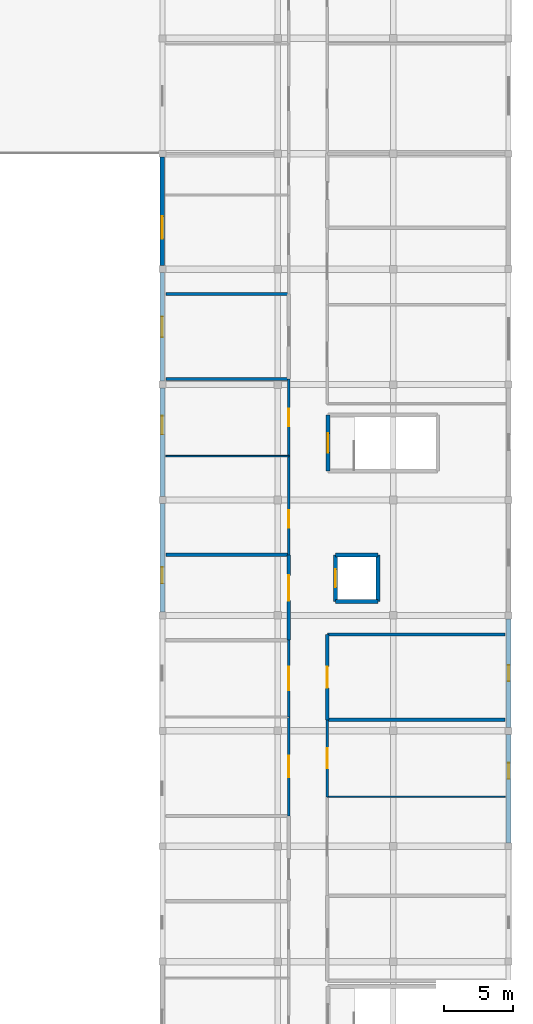
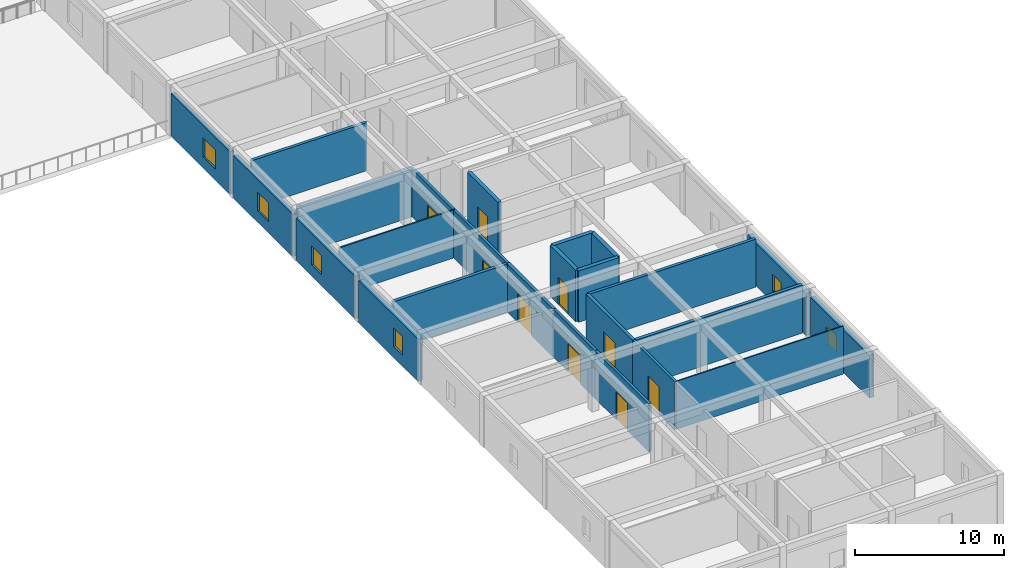
# One storey, part 16 of 28: 25 walls, 9 doors, 6 windows, 15 openings.
"""IFC4 building model written with IfcOpenShell, lengths in metres."""

from ifc_helpers import new_model, si_unit, direction, frame, frame_2d, origin, place, context, subcontext, project, spatial, rectangle, extrude, material, layer, layer_set, type_object, element, fill, save


model = new_model("IFC4")

# Units and contexts
model_context = context("Model", 3, precision=1e-05, world=origin(), true_north=direction((0.0, 1.0)))
body_context = subcontext(model_context, "Body", "Model", "MODEL_VIEW")
ifc_project = project(units=[si_unit("LENGTHUNIT", "METRE"), si_unit("AREAUNIT", "SQUARE_METRE"), si_unit("VOLUMEUNIT", "CUBIC_METRE"), si_unit("PLANEANGLEUNIT", "RADIAN"), si_unit("MASSUNIT", "GRAM", prefix="KILO")], contexts=[model_context])

# Site, building, storey
site_placement = place(None, origin())
site = spatial("IfcSite", under=ifc_project, at=site_placement, CompositionType="ELEMENT")
building_placement = place(site_placement, origin())
building = spatial("IfcBuilding", under=site, at=building_placement, Name="Varncliffe General Hospital", CompositionType="ELEMENT")
storey_placement = place(building_placement, frame((0.0, 0.0, 24.60009765625)))
storey = spatial("IfcBuildingStorey", under=building, at=storey_placement, Name="L05", CompositionType="ELEMENT", Elevation=24.60009765625)

# Wall, opening, window
ifc_material_1 = material(Name="Precast concrete C40/50 with insulated cream lime-cement stucco", Category="concrete")
ifc_layer_1 = layer(ifc_material_1, 0.31005859375)
ifc_layer_set_1 = layer_set([ifc_layer_1], Name="Precast concrete C40/50 with insulated cream lime-cement stucco")
wall_type_1 = type_object("IfcWallType", Name="Exterior Insulated Stucco Wall EW20 (310mm)", PredefinedType="SOLIDWALL", material=ifc_layer_set_1)
wall_1_placement = place(storey_placement, frame((151.199951171875, 74.64794921875, 0.0), z_axis=(0.0, 0.0, 1.0), x_axis=(0.0, 1.0, 0.0)))
wall_1 = element("IfcWall", 1, at=wall_1_placement, inside=storey, type_object=wall_type_1, Name="L05 Exterior Stucco Wall EW20-472", PredefinedType="SOLIDWALL", context=body_context, shape_type="SweptSolid", body=[
    extrude(rectangle(XDim=7.904052734375, YDim=0.31005859375, at=frame_2d((3.9521484375, 0.0))), origin(), (0.0, 0.0, 1.0), 3.47998046875),
])
opening_1_placement = place(wall_1_placement, frame((1.94921875, 0.0, 0.89990234375)))
opening_1 = element("IfcOpeningElement", 2, at=opening_1_placement, cuts=wall_1, Name="Opening WN20", PredefinedType="OPENING", context=body_context, shape_type="SweptSolid", body=[
    extrude(rectangle(XDim=1.64990234375, YDim=1.550048828125, at=frame_2d((0.824951171875, 0.77490234375))), frame((0.0, 0.1650390625, 0.0), z_axis=(0.0, -1.0, 0.0), x_axis=(1.0, 0.0, 0.0)), (0.0, 0.0, 1.0), 0.330078125),
])
ifc_material_2 = material(Name="Triple low-E argon insulated vision glazing", Category="glass")
window_type_1 = type_object("IfcWindowType", Name="Triple-Glazed Hospital Window WN20 (1650x1550)", PartitioningType="DOUBLE_PANEL_VERTICAL", PredefinedType="WINDOW", material=ifc_material_2)
window_1_placement = place(opening_1_placement, origin())
window_1 = element("IfcWindow", 3, at=window_1_placement, inside=storey, type_object=window_type_1, Name="L05 Hospital Window WN20-365", OverallHeight=1.550048828125, OverallWidth=1.64990234375, PartitioningType="DOUBLE_PANEL_VERTICAL", PredefinedType="WINDOW", context=body_context, shape_type="SweptSolid", body=[
    extrude(rectangle(XDim=1.64990234375, YDim=1.550048828125, at=frame_2d((0.824951171875, 0.77490234375))), frame((0.0, 0.030029296875, 0.0), z_axis=(0.0, -1.0, 0.0), x_axis=(1.0, 0.0, 0.0)), (0.0, 0.0, 1.0), 0.06005859375),
])
fill(opening_1, window_1)

ifc_layer_2 = layer(ifc_material_1, 0.3798828125)
ifc_layer_set_2 = layer_set([ifc_layer_2], Name="Precast concrete C40/50 with insulated cream lime-cement stucco")
wall_type_2 = type_object("IfcWallType", Name="Exterior Insulated Stucco Wall EW26 (380mm)", PredefinedType="SOLIDWALL", material=ifc_layer_set_2)
wall_2_placement = place(storey_placement, frame((176.39990234375, 48.951904296875, 0.0), z_axis=(0.0, 0.0, 1.0), x_axis=(0.0, -1.0, 0.0)))
wall_2 = element("IfcWall", 4, at=wall_2_placement, inside=storey, type_object=wall_type_2, Name="L05 Exterior Stucco Wall EW26-458", PredefinedType="SOLIDWALL", context=body_context, shape_type="SweptSolid", body=[
    extrude(rectangle(XDim=7.90380859375, YDim=0.3798828125, at=frame_2d((3.951904296875, 0.0))), origin(), (0.0, 0.0, 1.0), 3.47998046875),
])
opening_2_placement = place(wall_2_placement, frame((3.376953125, 0.0, 0.89990234375)))
opening_2 = element("IfcOpeningElement", 5, at=opening_2_placement, cuts=wall_2, Name="Opening WN62", PredefinedType="OPENING", context=body_context, shape_type="SweptSolid", body=[
    extrude(rectangle(XDim=1.14990234375, YDim=1.39990234375, at=frame_2d((0.574951171875, 0.699951171875))), frame((0.0, 0.199951171875, 0.0), z_axis=(0.0, -1.0, 0.0), x_axis=(1.0, 0.0, 0.0)), (0.0, 0.0, 1.0), 0.39990234375),
])
window_type_2 = type_object("IfcWindowType", Name="Triple-Glazed Hospital Window WN62 (1150x1400)", PartitioningType="SINGLE_PANEL", PredefinedType="WINDOW", material=ifc_material_2)
window_2_placement = place(opening_2_placement, origin())
window_2 = element("IfcWindow", 6, at=window_2_placement, inside=storey, type_object=window_type_2, Name="L05 Hospital Window WN62-351", OverallHeight=1.39990234375, OverallWidth=1.14990234375, PartitioningType="SINGLE_PANEL", PredefinedType="WINDOW", context=body_context, shape_type="SweptSolid", body=[
    extrude(rectangle(XDim=1.14990234375, YDim=1.39990234375, at=frame_2d((0.574951171875, 0.699951171875))), frame((0.0, 0.030029296875, 0.0), z_axis=(0.0, -1.0, 0.0), x_axis=(1.0, 0.0, 0.0)), (0.0, 0.0, 1.0), 0.06005859375),
])
fill(opening_2, window_2)

wall_3_placement = place(storey_placement, frame((151.199951171875, 49.447998046875, 0.0), z_axis=(0.0, 0.0, 1.0), x_axis=(0.0, 1.0, 0.0)))
wall_3 = element("IfcWall", 7, at=wall_3_placement, inside=storey, type_object=wall_type_2, Name="L05 Exterior Stucco Wall EW26-469", PredefinedType="SOLIDWALL", context=body_context, shape_type="SweptSolid", body=[
    extrude(rectangle(XDim=7.904052734375, YDim=0.3798828125, at=frame_2d((3.9521484375, 0.0))), origin(), (0.0, 0.0, 1.0), 3.47998046875),
])
opening_3_placement = place(wall_3_placement, frame((2.0751953125, 0.0, 0.89990234375)))
opening_3 = element("IfcOpeningElement", 8, at=opening_3_placement, cuts=wall_3, Name="Opening WN33", PredefinedType="OPENING", context=body_context, shape_type="SweptSolid", body=[
    extrude(rectangle(XDim=1.199951171875, YDim=1.550048828125, at=frame_2d((0.60009765625, 0.77490234375))), frame((0.0, 0.199951171875, 0.0), z_axis=(0.0, -1.0, 0.0), x_axis=(1.0, 0.0, 0.0)), (0.0, 0.0, 1.0), 0.39990234375),
])
window_type_3 = type_object("IfcWindowType", Name="Triple-Glazed Hospital Window WN33 (1200x1550)", PartitioningType="SINGLE_PANEL", PredefinedType="WINDOW", material=ifc_material_2)
window_3_placement = place(opening_3_placement, origin())
window_3 = element("IfcWindow", 9, at=window_3_placement, inside=storey, type_object=window_type_3, Name="L05 Hospital Window WN33-362", OverallHeight=1.550048828125, OverallWidth=1.199951171875, PartitioningType="SINGLE_PANEL", PredefinedType="WINDOW", context=body_context, shape_type="SweptSolid", body=[
    extrude(rectangle(XDim=1.199951171875, YDim=1.550048828125, at=frame_2d((0.60009765625, 0.77490234375))), frame((0.0, 0.030029296875, 0.0), z_axis=(0.0, -1.0, 0.0), x_axis=(1.0, 0.0, 0.0)), (0.0, 0.0, 1.0), 0.06005859375),
])
fill(opening_3, window_3)

ifc_layer_3 = layer(ifc_material_1, 0.330078125)
ifc_layer_set_3 = layer_set([ifc_layer_3], Name="Precast concrete C40/50 with insulated cream lime-cement stucco")
wall_type_3 = type_object("IfcWallType", Name="Exterior Insulated Stucco Wall EW33 (330mm)", PredefinedType="SOLIDWALL", material=ifc_layer_set_3)
wall_4_placement = place(storey_placement, frame((151.199951171875, 66.248046875, 0.0), z_axis=(0.0, 0.0, 1.0), x_axis=(0.0, 1.0, 0.0)))
wall_4 = element("IfcWall", 10, at=wall_4_placement, inside=storey, type_object=wall_type_3, Name="L05 Exterior Stucco Wall EW33-471", PredefinedType="SOLIDWALL", context=body_context, shape_type="SweptSolid", body=[
    extrude(rectangle(XDim=7.904052734375, YDim=0.330078125, at=frame_2d((3.9521484375, 0.0))), origin(), (0.0, 0.0, 1.0), 3.47998046875),
])
opening_4_placement = place(wall_4_placement, frame((3.201904296875, 0.0, 0.89990234375)))
opening_4 = element("IfcOpeningElement", 11, at=opening_4_placement, cuts=wall_4, Name="Opening WN75", PredefinedType="OPENING", context=body_context, shape_type="SweptSolid", body=[
    extrude(rectangle(XDim=1.5, YDim=1.550048828125, at=frame_2d((0.75, 0.77490234375))), frame((0.0, 0.175048828125, 0.0), z_axis=(0.0, -1.0, 0.0), x_axis=(1.0, 0.0, 0.0)), (0.0, 0.0, 1.0), 0.35009765625),
])
window_type_4 = type_object("IfcWindowType", Name="Triple-Glazed Hospital Window WN75 (1500x1550)", PartitioningType="SINGLE_PANEL", PredefinedType="WINDOW", material=ifc_material_2)
window_4_placement = place(opening_4_placement, origin())
window_4 = element("IfcWindow", 12, at=window_4_placement, inside=storey, type_object=window_type_4, Name="L05 Hospital Window WN75-364", OverallHeight=1.550048828125, OverallWidth=1.5, PartitioningType="SINGLE_PANEL", PredefinedType="WINDOW", context=body_context, shape_type="SweptSolid", body=[
    extrude(rectangle(XDim=1.5, YDim=1.550048828125, at=frame_2d((0.75, 0.77490234375))), frame((0.0, 0.030029296875, 0.0), z_axis=(0.0, -1.0, 0.0), x_axis=(1.0, 0.0, 0.0)), (0.0, 0.0, 1.0), 0.06005859375),
])
fill(opening_4, window_4)

ifc_layer_4 = layer(ifc_material_1, 0.35009765625)
ifc_layer_set_4 = layer_set([ifc_layer_4], Name="Precast concrete C40/50 with insulated cream lime-cement stucco")
wall_type_4 = type_object("IfcWallType", Name="Exterior Insulated Stucco Wall EW37 (350mm)", PredefinedType="SOLIDWALL", material=ifc_layer_set_4)
wall_5_placement = place(storey_placement, frame((176.39990234375, 40.552001953125, 0.0), z_axis=(0.0, 0.0, 1.0), x_axis=(0.0, -1.0, 0.0)))
wall_5 = element("IfcWall", 13, at=wall_5_placement, inside=storey, type_object=wall_type_4, Name="L05 Exterior Stucco Wall EW37-459", PredefinedType="SOLIDWALL", context=body_context, shape_type="SweptSolid", body=[
    extrude(rectangle(XDim=7.904052734375, YDim=0.35009765625, at=frame_2d((3.9521484375, 0.0))), origin(), (0.0, 0.0, 1.0), 3.47998046875),
])
opening_5_placement = place(wall_5_placement, frame((2.089111328125, 0.0, 0.89990234375)))
opening_5 = element("IfcOpeningElement", 14, at=opening_5_placement, cuts=wall_5, Name="Opening WN62", PredefinedType="OPENING", context=body_context, shape_type="SweptSolid", body=[
    extrude(rectangle(XDim=1.14990234375, YDim=1.39990234375, at=frame_2d((0.574951171875, 0.699951171875))), frame((0.0, 0.18505859375, 0.0), z_axis=(0.0, -1.0, 0.0), x_axis=(1.0, 0.0, 0.0)), (0.0, 0.0, 1.0), 0.3701171875),
])
window_5_placement = place(opening_5_placement, origin())
window_5 = element("IfcWindow", 15, at=window_5_placement, inside=storey, type_object=window_type_2, Name="L05 Hospital Window WN62-352", OverallHeight=1.39990234375, OverallWidth=1.14990234375, PartitioningType="SINGLE_PANEL", PredefinedType="WINDOW", context=body_context, shape_type="SweptSolid", body=[
    extrude(rectangle(XDim=1.14990234375, YDim=1.39990234375, at=frame_2d((0.574951171875, 0.699951171875))), frame((0.0, 0.030029296875, 0.0), z_axis=(0.0, -1.0, 0.0), x_axis=(1.0, 0.0, 0.0)), (0.0, 0.0, 1.0), 0.06005859375),
])
fill(opening_5, window_5)

wall_6_placement = place(storey_placement, frame((151.199951171875, 57.847900390625, 0.0), z_axis=(0.0, 0.0, 1.0), x_axis=(0.0, 1.0, 0.0)))
wall_6 = element("IfcWall", 16, at=wall_6_placement, inside=storey, type_object=wall_type_4, Name="L05 Exterior Stucco Wall EW37-470", PredefinedType="SOLIDWALL", context=body_context, shape_type="SweptSolid", body=[
    extrude(rectangle(XDim=7.904052734375, YDim=0.35009765625, at=frame_2d((3.9521484375, 0.0))), origin(), (0.0, 0.0, 1.0), 3.47998046875),
])
opening_6_placement = place(wall_6_placement, frame((4.52099609375, 0.0, 0.89990234375)))
opening_6 = element("IfcOpeningElement", 17, at=opening_6_placement, cuts=wall_6, Name="Opening WN24", PredefinedType="OPENING", context=body_context, shape_type="SweptSolid", body=[
    extrude(rectangle(XDim=1.35009765625, YDim=1.550048828125, at=frame_2d((0.675048828125, 0.77490234375))), frame((0.0, 0.18505859375, 0.0), z_axis=(0.0, -1.0, 0.0), x_axis=(1.0, 0.0, 0.0)), (0.0, 0.0, 1.0), 0.3701171875),
])
window_type_5 = type_object("IfcWindowType", Name="Triple-Glazed Hospital Window WN24 (1350x1550)", PartitioningType="SINGLE_PANEL", PredefinedType="WINDOW", material=ifc_material_2)
window_6_placement = place(opening_6_placement, origin())
window_6 = element("IfcWindow", 18, at=window_6_placement, inside=storey, type_object=window_type_5, Name="L05 Hospital Window WN24-363", OverallHeight=1.550048828125, OverallWidth=1.35009765625, PartitioningType="SINGLE_PANEL", PredefinedType="WINDOW", context=body_context, shape_type="SweptSolid", body=[
    extrude(rectangle(XDim=1.35009765625, YDim=1.550048828125, at=frame_2d((0.675048828125, 0.77490234375))), frame((0.0, 0.030029296875, 0.0), z_axis=(0.0, -1.0, 0.0), x_axis=(1.0, 0.0, 0.0)), (0.0, 0.0, 1.0), 0.06005859375),
])
fill(opening_6, window_6)

# Walls
ifc_material_3 = material(Name="Acoustic clinical gypsum stud partition assembly", Category="gypsum")
ifc_layer_5 = layer(ifc_material_3, 0.090087890625)
ifc_layer_set_5 = layer_set([ifc_layer_5], Name="Acoustic clinical gypsum stud partition assembly")
wall_type_5 = type_object("IfcWallType", Name="Interior Partitioning IW42 (90mm)", PredefinedType="PARTITIONING", material=ifc_layer_set_5)
wall_7_placement = place(storey_placement, frame((163.199951171875, 36.0, 0.0), z_axis=(0.0, 0.0, 1.0), x_axis=(1.0, 0.0, 0.0)))
element("IfcWall", 19, at=wall_7_placement, inside=storey, type_object=wall_type_5, Name="L05 Interior Partition Wall IW42-2006", PredefinedType="PARTITIONING", context=body_context, shape_type="SweptSolid", body=[
    extrude(rectangle(XDim=12.93994140625, YDim=0.090087890625, at=frame_2d((6.469970703125, 0.0))), origin(), (0.0, 0.0, 1.0), 3.919921875),
])
ifc_layer_6 = layer(ifc_material_3, 0.110107421875)
ifc_layer_set_6 = layer_set([ifc_layer_6], Name="Acoustic clinical gypsum stud partition assembly")
wall_type_6 = type_object("IfcWallType", Name="Interior Partitioning IW65 (110mm)", PredefinedType="PARTITIONING", material=ifc_layer_set_6)
wall_8_placement = place(storey_placement, frame((151.4599609375, 60.800048828125, 0.0), z_axis=(0.0, 0.0, 1.0), x_axis=(1.0, 0.0, 0.0)))
element("IfcWall", 20, at=wall_8_placement, inside=storey, type_object=wall_type_6, Name="L05 Interior Partition Wall IW65-2012", PredefinedType="PARTITIONING", context=body_context, shape_type="SweptSolid", body=[
    extrude(rectangle(XDim=8.93994140625, YDim=0.110107421875, at=frame_2d((4.469970703125, 0.0))), origin(), (0.0, 0.0, 1.0), 3.919921875),
])
ifc_material_4 = material(Name="Fire-rated gypsum and mineral-wool partition assembly", Category="gypsum")
ifc_layer_7 = layer(ifc_material_4, 0.25)
ifc_layer_set_7 = layer_set([ifc_layer_7], Name="Fire-rated gypsum and mineral-wool partition assembly")
wall_type_7 = type_object("IfcWallType", Name="Interior Partitioning PW38 (250mm)", PredefinedType="PARTITIONING", material=ifc_layer_set_7)
wall_9_placement = place(storey_placement, frame((163.199951171875, 41.60009765625, 0.0), z_axis=(0.0, 0.0, 1.0), x_axis=(1.0, 0.0, 0.0)))
element("IfcWall", 21, at=wall_9_placement, inside=storey, type_object=wall_type_7, Name="L05 Interior Partition Wall PW38-2007", PredefinedType="PARTITIONING", context=body_context, shape_type="SweptSolid", body=[
    extrude(rectangle(XDim=12.93994140625, YDim=0.25, at=frame_2d((6.469970703125, 0.0))), origin(), (0.0, 0.0, 1.0), 3.919921875),
])
wall_10_placement = place(storey_placement, frame((151.4599609375, 53.60009765625, 0.0), z_axis=(0.0, 0.0, 1.0), x_axis=(1.0, 0.0, 0.0)))
element("IfcWall", 22, at=wall_10_placement, inside=storey, type_object=wall_type_7, Name="L05 Interior Partition Wall PW38-2011", PredefinedType="PARTITIONING", context=body_context, shape_type="SweptSolid", body=[
    extrude(rectangle(XDim=8.93994140625, YDim=0.25, at=frame_2d((4.469970703125, 0.0))), origin(), (0.0, 0.0, 1.0), 3.919921875),
])

# Wall, opening, door
wall_11_placement = place(storey_placement, frame((160.39990234375, 47.39990234375, 0.0), z_axis=(0.0, 0.0, 1.0), x_axis=(0.0, 1.0, 0.0)))
wall_11 = element("IfcWall", 23, at=wall_11_placement, inside=storey, type_object=wall_type_7, Name="L05 Interior Partition Wall PW38-2171", PredefinedType="PARTITIONING", context=body_context, shape_type="SweptSolid", body=[
    extrude(rectangle(XDim=6.2001953125, YDim=0.25, at=frame_2d((3.10009765625, 0.0))), origin(), (0.0, 0.0, 1.0), 3.919921875),
])
opening_7_placement = place(wall_11_placement, frame((2.87158203125, 0.0, 0.0)))
opening_7 = element("IfcOpeningElement", 24, at=opening_7_placement, cuts=wall_11, Name="Opening DC38", PredefinedType="OPENING", context=body_context, shape_type="SweptSolid", body=[
    extrude(rectangle(XDim=1.85009765625, YDim=2.300048828125, at=frame_2d((0.925048828125, 1.14990234375))), frame((0.0, 0.135009765625, 0.0), z_axis=(0.0, -1.0, 0.0), x_axis=(1.0, 0.0, 0.0)), (0.0, 0.0, 1.0), 0.27001953125),
])
ifc_material_5 = material(Name="Fire-rated hospital steel-frame vision-panel door", Category="steel")
door_type_1 = type_object("IfcDoorType", Name="Interior Hospital Door DC38 (1850x2300)", OperationType="NOTDEFINED", PredefinedType="DOOR", material=ifc_material_5)
door_1_placement = place(opening_7_placement, origin())
door_1 = element("IfcDoor", 25, at=door_1_placement, inside=storey, type_object=door_type_1, Name="L05 Clinic Clean Supply Store 32 Door", OperationType="SINGLE_SWING_RIGHT", OverallHeight=2.300048828125, OverallWidth=1.85009765625, PredefinedType="DOOR", context=body_context, shape_type="SweptSolid", body=[
    extrude(rectangle(XDim=1.85009765625, YDim=2.300048828125, at=frame_2d((0.925048828125, 1.14990234375))), frame((0.0, 0.02490234375, 0.0), z_axis=(0.0, -1.0, 0.0), x_axis=(1.0, 0.0, 0.0)), (0.0, 0.0, 1.0), 0.050048828125),
])
fill(opening_7, door_1)

wall_12_placement = place(storey_placement, frame((163.199951171875, 41.60009765625, 0.0), z_axis=(0.0, 0.0, 1.0), x_axis=(0.0, 1.0, 0.0)))
wall_12 = element("IfcWall", 26, at=wall_12_placement, inside=storey, type_object=wall_type_7, Name="L05 Interior Partition Wall PW38-2183", PredefinedType="PARTITIONING", context=body_context, shape_type="SweptSolid", body=[
    extrude(rectangle(XDim=6.199951171875, YDim=0.25, at=frame_2d((3.10009765625, 0.0))), origin(), (0.0, 0.0, 1.0), 3.919921875),
])
opening_8_placement = place(wall_12_placement, frame((2.324951171875, 0.0, 0.0)))
opening_8 = element("IfcOpeningElement", 27, at=opening_8_placement, cuts=wall_12, Name="Opening DC67", PredefinedType="OPENING", context=body_context, shape_type="SweptSolid", body=[
    extrude(rectangle(XDim=1.550048828125, YDim=2.25, at=frame_2d((0.77490234375, 1.125))), frame((0.0, 0.135009765625, 0.0), z_axis=(0.0, -1.0, 0.0), x_axis=(1.0, 0.0, 0.0)), (0.0, 0.0, 1.0), 0.27001953125),
])
door_type_2 = type_object("IfcDoorType", Name="Interior Hospital Door DC67 (1550x2250)", OperationType="NOTDEFINED", PredefinedType="DOOR", material=ifc_material_5)
door_2_placement = place(opening_8_placement, frame((1.550048828125, 0.0, 0.0), z_axis=(0.0, 0.0, 1.0), x_axis=(-1.0, 0.0, 0.0)))
door_2 = element("IfcDoor", 28, at=door_2_placement, inside=storey, type_object=door_type_2, Name="L05 Clinic Clean Supply Store 41 Door", OperationType="SINGLE_SWING_RIGHT", OverallHeight=2.25, OverallWidth=1.550048828125, PredefinedType="DOOR", context=body_context, shape_type="SweptSolid", body=[
    extrude(rectangle(XDim=1.550048828125, YDim=2.25, at=frame_2d((0.77490234375, 1.125))), frame((0.0, 0.02490234375, 0.0), z_axis=(0.0, -1.0, 0.0), x_axis=(1.0, 0.0, 0.0)), (0.0, 0.0, 1.0), 0.050048828125),
])
fill(opening_8, door_2)

# Walls
ifc_layer_8 = layer(ifc_material_4, 0.22998046875)
ifc_layer_set_8 = layer_set([ifc_layer_8], Name="Fire-rated gypsum and mineral-wool partition assembly")
wall_type_8 = type_object("IfcWallType", Name="Interior Partitioning PW48 (230mm)", PredefinedType="PARTITIONING", material=ifc_layer_set_8)
wall_13_placement = place(storey_placement, frame((163.199951171875, 47.800048828125, 0.0), z_axis=(0.0, 0.0, 1.0), x_axis=(1.0, 0.0, 0.0)))
element("IfcWall", 29, at=wall_13_placement, inside=storey, type_object=wall_type_8, Name="L05 Interior Partition Wall PW48-2010", PredefinedType="PARTITIONING", context=body_context, shape_type="SweptSolid", body=[
    extrude(rectangle(XDim=12.93994140625, YDim=0.22998046875, at=frame_2d((6.469970703125, 0.0))), origin(), (0.0, 0.0, 1.0), 3.919921875),
])
for number, where, z_axis, x_axis, name in (
    (30, (151.4599609375, 66.39990234375, 0.0), (0.0, 0.0, 1.0), (1.0, 0.0, 0.0), "L05 Interior Partition Wall PW48-2014"),
    (31, (151.4599609375, 72.60009765625, 0.0), (0.0, 0.0, 1.0), (1.0, 0.0, 0.0), "L05 Interior Partition Wall PW48-2016"),
):
    element("IfcWall", number, at=place(storey_placement, frame(where, z_axis=z_axis, x_axis=x_axis)), inside=storey, type_object=wall_type_8, Name=name, PredefinedType="PARTITIONING", context=body_context, shape_type="SweptSolid", body=[
        extrude(rectangle(XDim=8.93994140625, YDim=0.22998046875, at=frame_2d((4.469970703125, 0.0))), origin(), (0.0, 0.0, 1.0), 3.919921875),
    ])

# Wall, opening, door
ifc_layer_9 = layer(ifc_material_4, 0.199951171875)
ifc_layer_set_9 = layer_set([ifc_layer_9], Name="Fire-rated gypsum and mineral-wool partition assembly")
wall_type_9 = type_object("IfcWallType", Name="Interior Partitioning PW63 (200mm)", PredefinedType="PARTITIONING", material=ifc_layer_set_9)
wall_14_placement = place(storey_placement, frame((160.39990234375, 34.60009765625, 0.0), z_axis=(0.0, 0.0, 1.0), x_axis=(0.0, 1.0, 0.0)))
wall_14 = element("IfcWall", 32, at=wall_14_placement, inside=storey, type_object=wall_type_9, Name="L05 Interior Partition Wall PW63-2169", PredefinedType="PARTITIONING", context=body_context, shape_type="SweptSolid", body=[
    extrude(rectangle(XDim=7.199951171875, YDim=0.199951171875, at=frame_2d((3.60009765625, 0.0))), origin(), (0.0, 0.0, 1.0), 3.919921875),
])
opening_9_placement = place(wall_14_placement, frame((2.824951171875, 0.0, 0.0)))
opening_9 = element("IfcOpeningElement", 33, at=opening_9_placement, cuts=wall_14, Name="Opening DC67", PredefinedType="OPENING", context=body_context, shape_type="SweptSolid", body=[
    extrude(rectangle(XDim=1.550048828125, YDim=2.25, at=frame_2d((0.77490234375, 1.125))), frame((0.0, 0.10986328125, 0.0), z_axis=(0.0, -1.0, 0.0), x_axis=(1.0, 0.0, 0.0)), (0.0, 0.0, 1.0), 0.219970703125),
])
door_3_placement = place(opening_9_placement, origin())
door_3 = element("IfcDoor", 34, at=door_3_placement, inside=storey, type_object=door_type_2, Name="L05 Maternal-Fetal Medicine Ultrasound Clinic 30 Door", OperationType="SINGLE_SWING_RIGHT", OverallHeight=2.25, OverallWidth=1.550048828125, PredefinedType="DOOR", context=body_context, shape_type="SweptSolid", body=[
    extrude(rectangle(XDim=1.550048828125, YDim=2.25, at=frame_2d((0.77490234375, 1.125))), frame((0.0, 0.02490234375, 0.0), z_axis=(0.0, -1.0, 0.0), x_axis=(1.0, 0.0, 0.0)), (0.0, 0.0, 1.0), 0.050048828125),
])
fill(opening_9, door_3)

wall_15_placement = place(storey_placement, frame((160.39990234375, 41.800048828125, 0.0), z_axis=(0.0, 0.0, 1.0), x_axis=(0.0, 1.0, 0.0)))
wall_15 = element("IfcWall", 35, at=wall_15_placement, inside=storey, type_object=wall_type_9, Name="L05 Interior Partition Wall PW63-2170", PredefinedType="PARTITIONING", context=body_context, shape_type="SweptSolid", body=[
    extrude(rectangle(XDim=5.599853515625, YDim=0.199951171875, at=frame_2d((2.7998046875, 0.0))), origin(), (0.0, 0.0, 1.0), 3.919921875),
])
opening_10_placement = place(wall_15_placement, frame((1.949951171875, 0.0, 0.0)))
opening_10 = element("IfcOpeningElement", 36, at=opening_10_placement, cuts=wall_15, Name="Opening DC50", PredefinedType="OPENING", context=body_context, shape_type="SweptSolid", body=[
    extrude(rectangle(XDim=1.699951171875, YDim=2.300048828125, at=frame_2d((0.85009765625, 1.14990234375))), frame((0.0, 0.10986328125, 0.0), z_axis=(0.0, -1.0, 0.0), x_axis=(1.0, 0.0, 0.0)), (0.0, 0.0, 1.0), 0.219970703125),
])
door_type_3 = type_object("IfcDoorType", Name="Interior Hospital Door DC50 (1700x2300)", OperationType="NOTDEFINED", PredefinedType="DOOR", material=ifc_material_5)
door_4_placement = place(opening_10_placement, origin())
door_4 = element("IfcDoor", 37, at=door_4_placement, inside=storey, type_object=door_type_3, Name="L05 Outpatient Genetics and Counselling Suite 31 Door", OperationType="SINGLE_SWING_LEFT", OverallHeight=2.300048828125, OverallWidth=1.699951171875, PredefinedType="DOOR", context=body_context, shape_type="SweptSolid", body=[
    extrude(rectangle(XDim=1.699951171875, YDim=2.300048828125, at=frame_2d((0.85009765625, 1.14990234375))), frame((0.0, 0.02490234375, 0.0), z_axis=(0.0, -1.0, 0.0), x_axis=(1.0, 0.0, 0.0)), (0.0, 0.0, 1.0), 0.050048828125),
])
fill(opening_10, door_4)

wall_16_placement = place(storey_placement, frame((160.39990234375, 53.60009765625, 0.0), z_axis=(0.0, 0.0, 1.0), x_axis=(0.0, 1.0, 0.0)))
wall_16 = element("IfcWall", 38, at=wall_16_placement, inside=storey, type_object=wall_type_9, Name="L05 Interior Partition Wall PW63-2172", PredefinedType="PARTITIONING", context=body_context, shape_type="SweptSolid", body=[
    extrude(rectangle(XDim=7.199951171875, YDim=0.199951171875, at=frame_2d((3.60009765625, 0.0))), origin(), (0.0, 0.0, 1.0), 3.919921875),
])
opening_11_placement = place(wall_16_placement, frame((1.990478515625, 0.0, 0.0)))
opening_11 = element("IfcOpeningElement", 39, at=opening_11_placement, cuts=wall_16, Name="Opening DC44", PredefinedType="OPENING", context=body_context, shape_type="SweptSolid", body=[
    extrude(rectangle(XDim=1.25, YDim=2.14990234375, at=frame_2d((0.625, 1.074951171875))), frame((0.0, 0.10986328125, 0.0), z_axis=(0.0, -1.0, 0.0), x_axis=(1.0, 0.0, 0.0)), (0.0, 0.0, 1.0), 0.219970703125),
])
door_type_4 = type_object("IfcDoorType", Name="Interior Hospital Door DC44 (1250x2150)", OperationType="NOTDEFINED", PredefinedType="DOOR", material=ifc_material_5)
door_5_placement = place(opening_11_placement, origin())
door_5 = element("IfcDoor", 40, at=door_5_placement, inside=storey, type_object=door_type_4, Name="L05 Maternal-Fetal Medicine Ultrasound Clinic 33 Door", OperationType="SINGLE_SWING_LEFT", OverallHeight=2.14990234375, OverallWidth=1.25, PredefinedType="DOOR", context=body_context, shape_type="SweptSolid", body=[
    extrude(rectangle(XDim=1.25, YDim=2.14990234375, at=frame_2d((0.625, 1.074951171875))), frame((0.0, 0.02490234375, 0.0), z_axis=(0.0, -1.0, 0.0), x_axis=(1.0, 0.0, 0.0)), (0.0, 0.0, 1.0), 0.050048828125),
])
fill(opening_11, door_5)

wall_17_placement = place(storey_placement, frame((160.39990234375, 60.800048828125, 0.0), z_axis=(0.0, 0.0, 1.0), x_axis=(0.0, 1.0, 0.0)))
wall_17 = element("IfcWall", 41, at=wall_17_placement, inside=storey, type_object=wall_type_9, Name="L05 Interior Partition Wall PW63-2173", PredefinedType="PARTITIONING", context=body_context, shape_type="SweptSolid", body=[
    extrude(rectangle(XDim=5.599853515625, YDim=0.199951171875, at=frame_2d((2.7998046875, 0.0))), origin(), (0.0, 0.0, 1.0), 3.919921875),
])
opening_12_placement = place(wall_17_placement, frame((2.14990234375, 0.0, 0.0)))
opening_12 = element("IfcOpeningElement", 42, at=opening_12_placement, cuts=wall_17, Name="Opening DC88", PredefinedType="OPENING", context=body_context, shape_type="SweptSolid", body=[
    extrude(rectangle(XDim=1.300048828125, YDim=2.199951171875, at=frame_2d((0.64990234375, 1.10009765625))), frame((0.0, 0.10986328125, 0.0), z_axis=(0.0, -1.0, 0.0), x_axis=(1.0, 0.0, 0.0)), (0.0, 0.0, 1.0), 0.219970703125),
])
door_type_5 = type_object("IfcDoorType", Name="Interior Hospital Door DC88 (1300x2200)", OperationType="NOTDEFINED", PredefinedType="DOOR", material=ifc_material_5)
door_6_placement = place(opening_12_placement, origin())
door_6 = element("IfcDoor", 43, at=door_6_placement, inside=storey, type_object=door_type_5, Name="L05 Outpatient Genetics and Counselling Suite 34 Door", OperationType="SINGLE_SWING_RIGHT", OverallHeight=2.199951171875, OverallWidth=1.300048828125, PredefinedType="DOOR", context=body_context, shape_type="SweptSolid", body=[
    extrude(rectangle(XDim=1.300048828125, YDim=2.199951171875, at=frame_2d((0.64990234375, 1.10009765625))), frame((0.0, 0.02490234375, 0.0), z_axis=(0.0, -1.0, 0.0), x_axis=(1.0, 0.0, 0.0)), (0.0, 0.0, 1.0), 0.050048828125),
])
fill(opening_12, door_6)

wall_18_placement = place(storey_placement, frame((163.199951171875, 36.0, 0.0), z_axis=(0.0, 0.0, 1.0), x_axis=(0.0, 1.0, 0.0)))
wall_18 = element("IfcWall", 44, at=wall_18_placement, inside=storey, type_object=wall_type_9, Name="L05 Interior Partition Wall PW63-2182", PredefinedType="PARTITIONING", context=body_context, shape_type="SweptSolid", body=[
    extrude(rectangle(XDim=5.60009765625, YDim=0.199951171875, at=frame_2d((2.800048828125, 0.0))), origin(), (0.0, 0.0, 1.0), 3.919921875),
])
opening_13_placement = place(wall_18_placement, frame((2.074951171875, 0.0, 0.0)))
opening_13 = element("IfcOpeningElement", 45, at=opening_13_placement, cuts=wall_18, Name="Opening DC66", PredefinedType="OPENING", context=body_context, shape_type="SweptSolid", body=[
    extrude(rectangle(XDim=1.449951171875, YDim=2.25, at=frame_2d((0.72509765625, 1.125))), frame((0.0, 0.10986328125, 0.0), z_axis=(0.0, -1.0, 0.0), x_axis=(1.0, 0.0, 0.0)), (0.0, 0.0, 1.0), 0.219970703125),
])
door_type_6 = type_object("IfcDoorType", Name="Interior Hospital Door DC66 (1450x2250)", OperationType="NOTDEFINED", PredefinedType="DOOR", material=ifc_material_5)
door_7_placement = place(opening_13_placement, frame((1.449951171875, 0.0, 0.0), z_axis=(0.0, 0.0, 1.0), x_axis=(-1.0, 0.0, 0.0)))
door_7 = element("IfcDoor", 46, at=door_7_placement, inside=storey, type_object=door_type_6, Name="L05 Outpatient Genetics and Counselling Suite 40 Door", OperationType="SINGLE_SWING_LEFT", OverallHeight=2.25, OverallWidth=1.449951171875, PredefinedType="DOOR", context=body_context, shape_type="SweptSolid", body=[
    extrude(rectangle(XDim=1.449951171875, YDim=2.25, at=frame_2d((0.72509765625, 1.125))), frame((0.0, 0.02490234375, 0.0), z_axis=(0.0, -1.0, 0.0), x_axis=(1.0, 0.0, 0.0)), (0.0, 0.0, 1.0), 0.050048828125),
])
fill(opening_13, door_7)

# Walls
ifc_material_6 = material(Name="Concrete C40/50 (CSA A23.1 40 MPa)", Category="concrete")
ifc_layer_10 = layer(ifc_material_6, 0.300048828125)
ifc_layer_set_10 = layer_set([ifc_layer_10], Name="Concrete C40/50 (CSA A23.1 40 MPa)")
wall_type_10 = type_object("IfcWallType", Name="Reinforced Concrete Core Shear Wall CW12 (300mm)", PredefinedType="SHEAR", material=ifc_layer_set_10)
wall_19_placement = place(storey_placement, frame((163.800048828125, 50.199951171875, 0.0), z_axis=(0.0, 0.0, 1.0), x_axis=(1.0, 0.0, 0.0)))
element("IfcWall", 47, at=wall_19_placement, inside=storey, type_object=wall_type_10, Name="L05 LF08 Elevator Shaft Wall South", PredefinedType="SHEAR", context=body_context, shape_type="SweptSolid", body=[
    extrude(rectangle(XDim=3.099853515625, YDim=0.300048828125, at=frame_2d((1.5498046875, 0.0))), origin(), (0.0, 0.0, 1.0), 4.199951171875),
])
wall_20_placement = place(storey_placement, frame((166.89990234375, 50.199951171875, 0.0), z_axis=(0.0, 0.0, 1.0), x_axis=(0.0, 1.0, 0.0)))
element("IfcWall", 48, at=wall_20_placement, inside=storey, type_object=wall_type_10, Name="L05 LF08 Elevator Shaft Wall East", PredefinedType="SHEAR", context=body_context, shape_type="SweptSolid", body=[
    extrude(rectangle(XDim=3.400146484375, YDim=0.300048828125, at=frame_2d((1.7001953125, 0.0))), origin(), (0.0, 0.0, 1.0), 4.199951171875),
])
wall_21_placement = place(storey_placement, frame((166.89990234375, 53.60009765625, 0.0), z_axis=(0.0, 0.0, 1.0), x_axis=(-1.0, 0.0, 0.0)))
element("IfcWall", 49, at=wall_21_placement, inside=storey, type_object=wall_type_10, Name="L05 LF08 Elevator Shaft Wall North", PredefinedType="SHEAR", context=body_context, shape_type="SweptSolid", body=[
    extrude(rectangle(XDim=3.099853515625, YDim=0.300048828125, at=frame_2d((1.5498046875, 0.0))), origin(), (0.0, 0.0, 1.0), 4.199951171875),
])

# Wall, opening, door
wall_22_placement = place(storey_placement, frame((163.800048828125, 53.60009765625, 0.0), z_axis=(0.0, 0.0, 1.0), x_axis=(0.0, -1.0, 0.0)))
wall_22 = element("IfcWall", 50, at=wall_22_placement, inside=storey, type_object=wall_type_10, Name="L05 LF08 Elevator Shaft Wall West", PredefinedType="SHEAR", context=body_context, shape_type="SweptSolid", body=[
    extrude(rectangle(XDim=3.400146484375, YDim=0.300048828125, at=frame_2d((1.7001953125, 0.0))), origin(), (0.0, 0.0, 1.0), 4.199951171875),
])
opening_14_placement = place(wall_22_placement, frame((1.050048828125, 0.0, 0.0)))
opening_14 = element("IfcOpeningElement", 51, at=opening_14_placement, cuts=wall_22, Name="Opening LD02", PredefinedType="OPENING", context=body_context, shape_type="SweptSolid", body=[
    extrude(rectangle(XDim=1.300048828125, YDim=2.199951171875, at=frame_2d((0.64990234375, 1.10009765625))), frame((0.0, 0.16015625, 0.0), z_axis=(0.0, -1.0, 0.0), x_axis=(1.0, 0.0, 0.0)), (0.0, 0.0, 1.0), 0.320068359375),
])
ifc_material_7 = material(Name="Brushed stainless-steel sliding elevator landing door", Category="steel")
door_type_7 = type_object("IfcDoorType", Name="Lift Landing Door LD02 (1300x2200)", OperationType="DOUBLE_DOOR_SLIDING", PredefinedType="DOOR", material=ifc_material_7)
door_8_placement = place(opening_14_placement, origin())
door_8 = element("IfcDoor", 52, at=door_8_placement, inside=storey, type_object=door_type_7, Name="Lift Landing Door LF08 L05", OperationType="DOUBLE_DOOR_SLIDING", OverallHeight=2.199951171875, OverallWidth=1.300048828125, PredefinedType="DOOR", context=body_context, shape_type="SweptSolid", body=[
    extrude(rectangle(XDim=1.300048828125, YDim=2.199951171875, at=frame_2d((0.64990234375, 1.10009765625))), frame((0.0, 0.02490234375, 0.0), z_axis=(0.0, -1.0, 0.0), x_axis=(1.0, 0.0, 0.0)), (0.0, 0.0, 1.0), 0.050048828125),
])
fill(opening_14, door_8)

ifc_layer_11 = layer(ifc_material_6, 0.280029296875)
ifc_layer_set_11 = layer_set([ifc_layer_11], Name="Concrete C40/50 (CSA A23.1 40 MPa)")
wall_type_11 = type_object("IfcWallType", Name="Reinforced Concrete Core Shear Wall CW13 (280mm)", PredefinedType="SHEAR", material=ifc_layer_set_11)
wall_23_placement = place(storey_placement, frame((163.260009765625, 63.7900390625, 0.0), z_axis=(0.0, 0.0, 1.0), x_axis=(0.0, -1.0, 0.0)))
wall_23 = element("IfcWall", 53, at=wall_23_placement, inside=storey, type_object=wall_type_11, Name="L05 ST07 Core Shear Wall N", PredefinedType="SHEAR", context=body_context, shape_type="SweptSolid", body=[
    extrude(rectangle(XDim=4.080078125, YDim=0.280029296875, at=frame_2d((2.0400390625, 0.0))), origin(), (0.0, 0.0, 1.0), 4.199951171875),
])
opening_15_placement = place(wall_23_placement, frame((1.340087890625, 0.0, 0.0)))
opening_15 = element("IfcOpeningElement", 54, at=opening_15_placement, cuts=wall_23, Name="Opening DF81", PredefinedType="OPENING", context=body_context, shape_type="SweptSolid", body=[
    extrude(rectangle(XDim=1.39990234375, YDim=2.199951171875, at=frame_2d((0.699951171875, 1.10009765625))), frame((0.0, 0.14990234375, 0.0), z_axis=(0.0, -1.0, 0.0), x_axis=(1.0, 0.0, 0.0)), (0.0, 0.0, 1.0), 0.300048828125),
])
door_type_8 = type_object("IfcDoorType", Name="Interior Hospital Door DF81 (1400x2200)", OperationType="NOTDEFINED", PredefinedType="DOOR", material=ifc_material_5)
door_9_placement = place(opening_15_placement, frame((1.39990234375, 0.0, 0.0), z_axis=(0.0, 0.0, 1.0), x_axis=(-1.0, 0.0, 0.0)))
door_9 = element("IfcDoor", 55, at=door_9_placement, inside=storey, type_object=door_type_8, Name="L05 ST07 Protected Exit Stair Door", OperationType="SINGLE_SWING_LEFT", OverallHeight=2.199951171875, OverallWidth=1.39990234375, PredefinedType="DOOR", context=body_context, shape_type="SweptSolid", body=[
    extrude(rectangle(XDim=1.39990234375, YDim=2.199951171875, at=frame_2d((0.699951171875, 1.10009765625))), frame((0.0, 0.02490234375, 0.0), z_axis=(0.0, -1.0, 0.0), x_axis=(1.0, 0.0, 0.0)), (0.0, 0.0, 1.0), 0.050048828125),
])
fill(opening_15, door_9)

save(model, "model.ifc")
